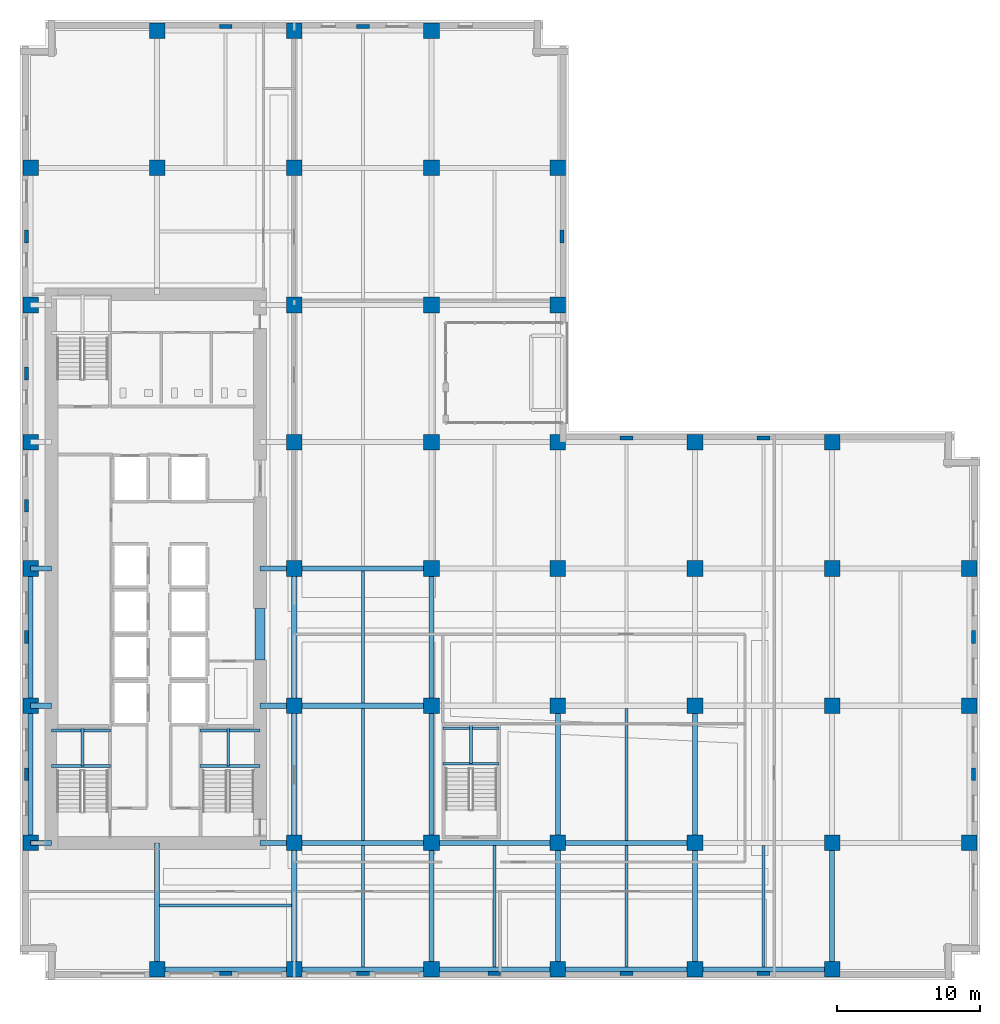
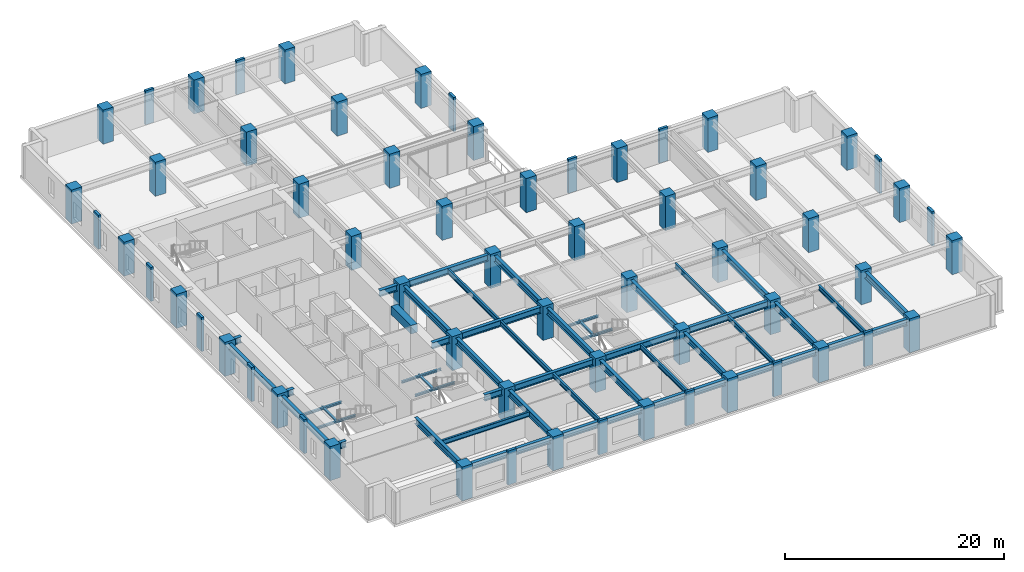
# One storey, part 1 of 16: 62 columns, 48 beams.
"""IFC4 building model written with IfcOpenShell, lengths in metres."""

from ifc_helpers import new_model, si_unit, direction, frame, origin, origin_2d, place, context, subcontext, project, spatial, rectangle, i_section, extrude, material, material_profile, profile_set, type_object, element, save


model = new_model("IFC4")

# Units and contexts
model_context = context("Model", 3, precision=1e-05, world=origin(), true_north=direction((0.0, 1.0)))
body_context = subcontext(model_context, "Body", "Model", "MODEL_VIEW")
ifc_project = project(units=[si_unit("LENGTHUNIT", "METRE"), si_unit("AREAUNIT", "SQUARE_METRE"), si_unit("VOLUMEUNIT", "CUBIC_METRE"), si_unit("PLANEANGLEUNIT", "RADIAN"), si_unit("MASSUNIT", "GRAM", prefix="KILO")], contexts=[model_context])

# Site, building, storey
site_placement = place(None, origin())
site = spatial("IfcSite", under=ifc_project, at=site_placement, CompositionType="ELEMENT")
building_placement = place(site_placement, origin())
building = spatial("IfcBuilding", under=site, at=building_placement, Name="Norrvale University Quadrangle", CompositionType="ELEMENT")
storey_placement = place(building_placement, frame((0.0, 0.0, 58.39990234375)))
storey = spatial("IfcBuildingStorey", under=building, at=storey_placement, Name="L14", CompositionType="ELEMENT", Elevation=58.39990234375)

# Columns
ifc_material_1 = material(Name="Buff Brick Concrete C60/75", Category="concrete")
ifc_material_profile_1 = material_profile(ifc_material_1, rectangle(XDim=0.89990234375, YDim=0.280029296875, at=origin_2d()), Name="Buff Brick Concrete C60/75")
ifc_profile_set_1 = profile_set([ifc_material_profile_1], Name="Buff Brick Concrete C60/75")
column_type_1 = type_object("IfcColumnType", Name="Column Buff Pier 900x280", PredefinedType="PILASTER", material=ifc_profile_set_1)
for number, where, z_axis, x_axis, name in (
    (1, (0.449951171875, 14.39990234375, 0.0), (0.0, 0.0, 1.0), (0.0, 1.0, 0.0), "Exterior Brick Facade Pilaster L14-01"),
    (2, (0.449951171875, 24.0, 0.0), (0.0, 0.0, 1.0), (0.0, 1.0, 0.0), "Exterior Brick Facade Pilaster L14-02"),
    (3, (0.449951171875, 33.199951171875, 0.0), (0.0, 0.0, 1.0), (0.0, 1.0, 0.0), "Exterior Brick Facade Pilaster L14-03"),
    (4, (0.449951171875, 42.449951171875, 0.0), (0.0, 0.0, 1.0), (0.0, 1.0, 0.0), "Exterior Brick Facade Pilaster L14-04"),
    (5, (0.449951171875, 52.050048828125, 0.0), (0.0, 0.0, 1.0), (0.0, 1.0, 0.0), "Exterior Brick Facade Pilaster L14-05"),
    (6, (14.39990234375, 0.449951171875, 0.0), (0.0, 0.0, 1.0), (1.0, 0.0, 0.0), "Exterior Brick Facade Pilaster L14-06"),
    (7, (24.0, 0.449951171875, 0.0), (0.0, 0.0, 1.0), (1.0, 0.0, 0.0), "Exterior Brick Facade Pilaster L14-07"),
    (8, (33.199951171875, 0.449951171875, 0.0), (0.0, 0.0, 1.0), (1.0, 0.0, 0.0), "Exterior Brick Facade Pilaster L14-08"),
    (9, (42.449951171875, 0.449951171875, 0.0), (0.0, 0.0, 1.0), (1.0, 0.0, 0.0), "Exterior Brick Facade Pilaster L14-09"),
    (10, (52.050048828125, 0.449951171875, 0.0), (0.0, 0.0, 1.0), (1.0, 0.0, 0.0), "Exterior Brick Facade Pilaster L14-10"),
    (11, (66.75, 14.39990234375, 0.0), (0.0, 0.0, 1.0), (0.0, 1.0, 0.0), "Exterior Brick Facade Pilaster L14-11"),
    (12, (66.75, 24.0, 0.0), (0.0, 0.0, 1.0), (0.0, 1.0, 0.0), "Exterior Brick Facade Pilaster L14-12"),
    (13, (14.39990234375, 66.75, 0.0), (0.0, 0.0, 1.0), (1.0, 0.0, 0.0), "Exterior Brick Facade Pilaster L14-13"),
    (14, (24.0, 66.75, 0.0), (0.0, 0.0, 1.0), (1.0, 0.0, 0.0), "Exterior Brick Facade Pilaster L14-14"),
    (15, (37.949951171875, 52.050048828125, 0.0), (0.0, 0.0, 1.0), (0.0, 1.0, 0.0), "Exterior Brick Facade Pilaster L14-15"),
    (16, (42.449951171875, 37.949951171875, 0.0), (0.0, 0.0, 1.0), (1.0, 0.0, 0.0), "Exterior Brick Facade Pilaster L14-16"),
    (17, (52.050048828125, 37.949951171875, 0.0), (0.0, 0.0, 1.0), (1.0, 0.0, 0.0), "Exterior Brick Facade Pilaster L14-17"),
):
    element("IfcColumn", number, at=place(storey_placement, frame(where, z_axis=z_axis, x_axis=x_axis)), inside=storey, type_object=column_type_1, Name=name, PredefinedType="PILASTER", context=body_context, shape_type="SweptSolid", body=[
        extrude(rectangle(XDim=0.89990234375, YDim=0.280029296875, at=origin_2d()), origin(), (0.0, 0.0, 1.0), 3.800048828125),
    ])
ifc_material_2 = material(Name="Concrete C80/95", Category="concrete")
ifc_material_profile_2 = material_profile(ifc_material_2, rectangle(XDim=1.10009765625, YDim=1.10009765625, at=origin_2d()), Name="Concrete C80/95")
ifc_profile_set_2 = profile_set([ifc_material_profile_2], Name="Concrete C80/95")
column_type_2 = type_object("IfcColumnType", Name="Column Tower Z1 1100x1100", PredefinedType="COLUMN", material=ifc_profile_set_2)
for number, where, z_axis, x_axis, name in (
    (18, (0.75, 9.60009765625, 0.0), (0.0, 0.0, 1.0), (1.0, 0.0, 0.0), "Tower Column L14-T01"),
    (19, (0.75, 19.199951171875, 0.0), (0.0, 0.0, 1.0), (1.0, 0.0, 0.0), "Tower Column L14-T02"),
    (20, (0.75, 28.800048828125, 0.0), (0.0, 0.0, 1.0), (1.0, 0.0, 0.0), "Tower Column L14-T03"),
    (21, (0.75, 37.64990234375, 0.0), (0.0, 0.0, 1.0), (1.0, 0.0, 0.0), "Tower Column L14-T04"),
    (22, (0.75, 47.25, 0.0), (0.0, 0.0, 1.0), (1.0, 0.0, 0.0), "Tower Column L14-T05"),
    (23, (0.75, 56.85009765625, 0.0), (0.0, 0.0, 1.0), (1.0, 0.0, 0.0), "Tower Column L14-T06"),
    (24, (9.60009765625, 0.75, 0.0), (0.0, 0.0, 1.0), (1.0, 0.0, 0.0), "Tower Column L14-T07"),
    (25, (9.60009765625, 56.85009765625, 0.0), (0.0, 0.0, 1.0), (1.0, 0.0, 0.0), "Tower Column L14-T08"),
    (26, (9.60009765625, 66.449951171875, 0.0), (0.0, 0.0, 1.0), (1.0, 0.0, 0.0), "Tower Column L14-T09"),
    (27, (19.199951171875, 0.75, 0.0), (0.0, 0.0, 1.0), (1.0, 0.0, 0.0), "Tower Column L14-T10"),
    (28, (19.199951171875, 9.60009765625, 0.0), (0.0, 0.0, 1.0), (1.0, 0.0, 0.0), "Tower Column L14-T11"),
    (29, (19.199951171875, 19.199951171875, 0.0), (0.0, 0.0, 1.0), (1.0, 0.0, 0.0), "Tower Column L14-T12"),
    (30, (19.199951171875, 28.800048828125, 0.0), (0.0, 0.0, 1.0), (1.0, 0.0, 0.0), "Tower Column L14-T13"),
    (31, (19.199951171875, 37.64990234375, 0.0), (0.0, 0.0, 1.0), (1.0, 0.0, 0.0), "Tower Column L14-T14"),
    (32, (19.199951171875, 47.25, 0.0), (0.0, 0.0, 1.0), (1.0, 0.0, 0.0), "Tower Column L14-T15"),
    (33, (19.199951171875, 56.85009765625, 0.0), (0.0, 0.0, 1.0), (1.0, 0.0, 0.0), "Tower Column L14-T16"),
    (34, (19.199951171875, 66.449951171875, 0.0), (0.0, 0.0, 1.0), (1.0, 0.0, 0.0), "Tower Column L14-T17"),
    (35, (28.800048828125, 0.75, 0.0), (0.0, 0.0, 1.0), (1.0, 0.0, 0.0), "Tower Column L14-T18"),
    (36, (28.800048828125, 9.60009765625, 0.0), (0.0, 0.0, 1.0), (1.0, 0.0, 0.0), "Tower Column L14-T19"),
    (37, (28.800048828125, 19.199951171875, 0.0), (0.0, 0.0, 1.0), (1.0, 0.0, 0.0), "Tower Column L14-T20"),
    (38, (28.800048828125, 28.800048828125, 0.0), (0.0, 0.0, 1.0), (1.0, 0.0, 0.0), "Tower Column L14-T21"),
    (39, (28.800048828125, 37.64990234375, 0.0), (0.0, 0.0, 1.0), (1.0, 0.0, 0.0), "Tower Column L14-T22"),
    (40, (28.800048828125, 47.25, 0.0), (0.0, 0.0, 1.0), (1.0, 0.0, 0.0), "Tower Column L14-T23"),
    (41, (28.800048828125, 56.85009765625, 0.0), (0.0, 0.0, 1.0), (1.0, 0.0, 0.0), "Tower Column L14-T24"),
    (42, (28.800048828125, 66.449951171875, 0.0), (0.0, 0.0, 1.0), (1.0, 0.0, 0.0), "Tower Column L14-T25"),
    (43, (37.64990234375, 0.75, 0.0), (0.0, 0.0, 1.0), (1.0, 0.0, 0.0), "Tower Column L14-T26"),
    (44, (37.64990234375, 9.60009765625, 0.0), (0.0, 0.0, 1.0), (1.0, 0.0, 0.0), "Tower Column L14-T27"),
    (45, (37.64990234375, 19.199951171875, 0.0), (0.0, 0.0, 1.0), (1.0, 0.0, 0.0), "Tower Column L14-T28"),
    (46, (37.64990234375, 28.800048828125, 0.0), (0.0, 0.0, 1.0), (1.0, 0.0, 0.0), "Tower Column L14-T29"),
    (47, (37.64990234375, 37.64990234375, 0.0), (0.0, 0.0, 1.0), (1.0, 0.0, 0.0), "Tower Column L14-T30"),
    (48, (37.64990234375, 47.25, 0.0), (0.0, 0.0, 1.0), (1.0, 0.0, 0.0), "Tower Column L14-T31"),
    (49, (37.64990234375, 56.85009765625, 0.0), (0.0, 0.0, 1.0), (1.0, 0.0, 0.0), "Tower Column L14-T32"),
    (50, (47.25, 0.75, 0.0), (0.0, 0.0, 1.0), (1.0, 0.0, 0.0), "Tower Column L14-T33"),
    (51, (47.25, 9.60009765625, 0.0), (0.0, 0.0, 1.0), (1.0, 0.0, 0.0), "Tower Column L14-T34"),
    (52, (47.25, 19.199951171875, 0.0), (0.0, 0.0, 1.0), (1.0, 0.0, 0.0), "Tower Column L14-T35"),
    (53, (47.25, 28.800048828125, 0.0), (0.0, 0.0, 1.0), (1.0, 0.0, 0.0), "Tower Column L14-T36"),
    (54, (47.25, 37.64990234375, 0.0), (0.0, 0.0, 1.0), (1.0, 0.0, 0.0), "Tower Column L14-T37"),
    (55, (56.85009765625, 0.75, 0.0), (0.0, 0.0, 1.0), (1.0, 0.0, 0.0), "Tower Column L14-T38"),
    (56, (56.85009765625, 9.60009765625, 0.0), (0.0, 0.0, 1.0), (1.0, 0.0, 0.0), "Tower Column L14-T39"),
    (57, (56.85009765625, 19.199951171875, 0.0), (0.0, 0.0, 1.0), (1.0, 0.0, 0.0), "Tower Column L14-T40"),
    (58, (56.85009765625, 28.800048828125, 0.0), (0.0, 0.0, 1.0), (1.0, 0.0, 0.0), "Tower Column L14-T41"),
    (59, (56.85009765625, 37.64990234375, 0.0), (0.0, 0.0, 1.0), (1.0, 0.0, 0.0), "Tower Column L14-T42"),
    (60, (66.449951171875, 9.60009765625, 0.0), (0.0, 0.0, 1.0), (1.0, 0.0, 0.0), "Tower Column L14-T43"),
    (61, (66.449951171875, 19.199951171875, 0.0), (0.0, 0.0, 1.0), (1.0, 0.0, 0.0), "Tower Column L14-T44"),
    (62, (66.449951171875, 28.800048828125, 0.0), (0.0, 0.0, 1.0), (1.0, 0.0, 0.0), "Tower Column L14-T45"),
):
    element("IfcColumn", number, at=place(storey_placement, frame(where, z_axis=z_axis, x_axis=x_axis)), inside=storey, type_object=column_type_2, Name=name, PredefinedType="COLUMN", context=body_context, shape_type="SweptSolid", body=[
        extrude(rectangle(XDim=1.10009765625, YDim=1.10009765625, at=origin_2d()), origin(), (0.0, 0.0, 1.0), 3.800048828125),
    ])

# Beams
ifc_material_3 = material(Name="Steel 350W", Category="steel")
ifc_material_profile_3 = material_profile(ifc_material_3, i_section(OverallWidth=0.35498046875, OverallDepth=0.695068359375, WebThickness=0.015380859375, FlangeThickness=0.02490234375, FilletRadius=0.01806640625, at=origin_2d()), Name="Steel 350W")
ifc_profile_set_3 = profile_set([ifc_material_profile_3], Name="Steel 350W")
beam_type_1 = type_object("IfcBeamType", Name="Beam Belt W690x217", PredefinedType="BEAM", material=ifc_profile_set_3)
beam_1_placement = place(storey_placement, frame((9.60009765625, 0.75, 3.192626953125), z_axis=(1.0, 0.0, 0.0), x_axis=(0.0, 1.0, 0.0)))
element("IfcBeam", 63, at=beam_1_placement, inside=storey, type_object=beam_type_1, Name="Beam Belt W690x217 BM-L14-GX001", PredefinedType="BEAM", context=body_context, shape_type="SweptSolid", body=[
    extrude(i_section(OverallWidth=0.35498046875, OverallDepth=0.695068359375, WebThickness=0.015380859375, FlangeThickness=0.02490234375, FilletRadius=0.01806640625, at=origin_2d()), origin(), (0.0, 0.0, 1.0), 9.599853515625),
])
beam_2_placement = place(storey_placement, frame((19.199951171875, 0.75, 3.192626953125), z_axis=(1.0, 0.0, 0.0), x_axis=(0.0, 1.0, 0.0)))
element("IfcBeam", 64, at=beam_2_placement, inside=storey, type_object=beam_type_1, Name="Beam Belt W690x217 BM-L14-GX002", PredefinedType="BEAM", context=body_context, shape_type="SweptSolid", body=[
    extrude(i_section(OverallWidth=0.35498046875, OverallDepth=0.695068359375, WebThickness=0.015380859375, FlangeThickness=0.02490234375, FilletRadius=0.01806640625, at=origin_2d()), origin(), (0.0, 0.0, 1.0), 9.60009765625),
])
beam_3_placement = place(storey_placement, frame((28.800048828125, 0.75, 3.192626953125), z_axis=(1.0, 0.0, 0.0), x_axis=(0.0, 1.0, 0.0)))
element("IfcBeam", 65, at=beam_3_placement, inside=storey, type_object=beam_type_1, Name="Beam Belt W690x217 BM-L14-GX003", PredefinedType="BEAM", context=body_context, shape_type="SweptSolid", body=[
    extrude(i_section(OverallWidth=0.35498046875, OverallDepth=0.695068359375, WebThickness=0.015380859375, FlangeThickness=0.02490234375, FilletRadius=0.01806640625, at=origin_2d()), origin(), (0.0, 0.0, 1.0), 8.849853515625),
])
for number, where, z_axis, x_axis, name in (
    (66, (37.64990234375, 0.75, 3.192626953125), (1.0, 0.0, 0.0), (0.0, 1.0, 0.0), "Beam Belt W690x217 BM-L14-GX004"),
    (67, (47.25, 0.75, 3.192626953125), (1.0, 0.0, 0.0), (0.0, 1.0, 0.0), "Beam Belt W690x217 BM-L14-GX005"),
    (68, (19.199951171875, 9.60009765625, 3.192626953125), (1.0, 0.0, 0.0), (0.0, 1.0, 0.0), "Beam Belt W690x217 BM-L14-GX006"),
):
    element("IfcBeam", number, at=place(storey_placement, frame(where, z_axis=z_axis, x_axis=x_axis)), inside=storey, type_object=beam_type_1, Name=name, PredefinedType="BEAM", context=body_context, shape_type="SweptSolid", body=[
        extrude(i_section(OverallWidth=0.35498046875, OverallDepth=0.695068359375, WebThickness=0.015380859375, FlangeThickness=0.02490234375, FilletRadius=0.01806640625, at=origin_2d()), origin(), (0.0, 0.0, 1.0), 9.60009765625),
    ])
beam_4_placement = place(storey_placement, frame((28.800048828125, 9.60009765625, 3.192626953125), z_axis=(1.0, 0.0, 0.0), x_axis=(0.0, 1.0, 0.0)))
element("IfcBeam", 69, at=beam_4_placement, inside=storey, type_object=beam_type_1, Name="Beam Belt W690x217 BM-L14-GX007", PredefinedType="BEAM", context=body_context, shape_type="SweptSolid", body=[
    extrude(i_section(OverallWidth=0.35498046875, OverallDepth=0.695068359375, WebThickness=0.015380859375, FlangeThickness=0.02490234375, FilletRadius=0.01806640625, at=origin_2d()), origin(), (0.0, 0.0, 1.0), 8.849853515625),
])
for number, where, z_axis, x_axis, name in (
    (70, (37.64990234375, 9.60009765625, 3.192626953125), (1.0, 0.0, 0.0), (0.0, 1.0, 0.0), "Beam Belt W690x217 BM-L14-GX008"),
    (71, (19.199951171875, 19.199951171875, 3.192626953125), (1.0, 0.0, 0.0), (0.0, 1.0, 0.0), "Beam Belt W690x217 BM-L14-GX011"),
    (72, (19.199951171875, 28.800048828125, 3.192626953125), (1.0, 0.0, 0.0), (0.0, 1.0, 0.0), "Beam Belt W690x217 BM-L14-GX016"),
):
    element("IfcBeam", number, at=place(storey_placement, frame(where, z_axis=z_axis, x_axis=x_axis)), inside=storey, type_object=beam_type_1, Name=name, PredefinedType="BEAM", context=body_context, shape_type="SweptSolid", body=[
        extrude(i_section(OverallWidth=0.35498046875, OverallDepth=0.695068359375, WebThickness=0.015380859375, FlangeThickness=0.02490234375, FilletRadius=0.01806640625, at=origin_2d()), origin(), (0.0, 0.0, 1.0), 9.60009765625),
    ])
beam_5_placement = place(storey_placement, frame((0.75, 9.60009765625, 3.192626953125), z_axis=(0.0, 1.0, 0.0), x_axis=(-1.0, 0.0, 0.0)))
element("IfcBeam", 73, at=beam_5_placement, inside=storey, type_object=beam_type_1, Name="Beam Belt W690x217 BM-L14-GY033", PredefinedType="BEAM", context=body_context, shape_type="SweptSolid", body=[
    extrude(i_section(OverallWidth=0.35498046875, OverallDepth=0.695068359375, WebThickness=0.015380859375, FlangeThickness=0.02490234375, FilletRadius=0.01806640625, at=origin_2d()), origin(), (0.0, 0.0, 1.0), 9.599853515625),
])
beam_6_placement = place(storey_placement, frame((0.75, 19.199951171875, 3.192626953125), z_axis=(0.0, 1.0, 0.0), x_axis=(-1.0, 0.0, 0.0)))
element("IfcBeam", 74, at=beam_6_placement, inside=storey, type_object=beam_type_1, Name="Beam Belt W690x217 BM-L14-GY034", PredefinedType="BEAM", context=body_context, shape_type="SweptSolid", body=[
    extrude(i_section(OverallWidth=0.35498046875, OverallDepth=0.695068359375, WebThickness=0.015380859375, FlangeThickness=0.02490234375, FilletRadius=0.01806640625, at=origin_2d()), origin(), (0.0, 0.0, 1.0), 9.60009765625),
])
beam_7_placement = place(storey_placement, frame((19.199951171875, 0.75, 3.192626953125), z_axis=(0.0, 1.0, 0.0), x_axis=(-1.0, 0.0, 0.0)))
element("IfcBeam", 75, at=beam_7_placement, inside=storey, type_object=beam_type_1, Name="Beam Belt W690x217 BM-L14-GY039", PredefinedType="BEAM", context=body_context, shape_type="SweptSolid", body=[
    extrude(i_section(OverallWidth=0.35498046875, OverallDepth=0.695068359375, WebThickness=0.015380859375, FlangeThickness=0.02490234375, FilletRadius=0.01806640625, at=origin_2d()), origin(), (0.0, 0.0, 1.0), 8.85009765625),
])
beam_8_placement = place(storey_placement, frame((19.199951171875, 9.60009765625, 3.192626953125), z_axis=(0.0, 1.0, 0.0), x_axis=(-1.0, 0.0, 0.0)))
element("IfcBeam", 76, at=beam_8_placement, inside=storey, type_object=beam_type_1, Name="Beam Belt W690x217 BM-L14-GY040", PredefinedType="BEAM", context=body_context, shape_type="SweptSolid", body=[
    extrude(i_section(OverallWidth=0.35498046875, OverallDepth=0.695068359375, WebThickness=0.015380859375, FlangeThickness=0.02490234375, FilletRadius=0.01806640625, at=origin_2d()), origin(), (0.0, 0.0, 1.0), 9.599853515625),
])
beam_9_placement = place(storey_placement, frame((19.199951171875, 19.199951171875, 3.192626953125), z_axis=(0.0, 1.0, 0.0), x_axis=(-1.0, 0.0, 0.0)))
element("IfcBeam", 77, at=beam_9_placement, inside=storey, type_object=beam_type_1, Name="Beam Belt W690x217 BM-L14-GY041", PredefinedType="BEAM", context=body_context, shape_type="SweptSolid", body=[
    extrude(i_section(OverallWidth=0.35498046875, OverallDepth=0.695068359375, WebThickness=0.015380859375, FlangeThickness=0.02490234375, FilletRadius=0.01806640625, at=origin_2d()), origin(), (0.0, 0.0, 1.0), 9.60009765625),
])
beam_10_placement = place(storey_placement, frame((28.800048828125, 0.75, 3.192626953125), z_axis=(0.0, 1.0, 0.0), x_axis=(-1.0, 0.0, 0.0)))
element("IfcBeam", 78, at=beam_10_placement, inside=storey, type_object=beam_type_1, Name="Beam Belt W690x217 BM-L14-GY046", PredefinedType="BEAM", context=body_context, shape_type="SweptSolid", body=[
    extrude(i_section(OverallWidth=0.35498046875, OverallDepth=0.695068359375, WebThickness=0.015380859375, FlangeThickness=0.02490234375, FilletRadius=0.01806640625, at=origin_2d()), origin(), (0.0, 0.0, 1.0), 8.85009765625),
])
beam_11_placement = place(storey_placement, frame((28.800048828125, 9.60009765625, 3.192626953125), z_axis=(0.0, 1.0, 0.0), x_axis=(-1.0, 0.0, 0.0)))
element("IfcBeam", 79, at=beam_11_placement, inside=storey, type_object=beam_type_1, Name="Beam Belt W690x217 BM-L14-GY047", PredefinedType="BEAM", context=body_context, shape_type="SweptSolid", body=[
    extrude(i_section(OverallWidth=0.35498046875, OverallDepth=0.695068359375, WebThickness=0.015380859375, FlangeThickness=0.02490234375, FilletRadius=0.01806640625, at=origin_2d()), origin(), (0.0, 0.0, 1.0), 9.599853515625),
])
beam_12_placement = place(storey_placement, frame((28.800048828125, 19.199951171875, 3.192626953125), z_axis=(0.0, 1.0, 0.0), x_axis=(-1.0, 0.0, 0.0)))
element("IfcBeam", 80, at=beam_12_placement, inside=storey, type_object=beam_type_1, Name="Beam Belt W690x217 BM-L14-GY048", PredefinedType="BEAM", context=body_context, shape_type="SweptSolid", body=[
    extrude(i_section(OverallWidth=0.35498046875, OverallDepth=0.695068359375, WebThickness=0.015380859375, FlangeThickness=0.02490234375, FilletRadius=0.01806640625, at=origin_2d()), origin(), (0.0, 0.0, 1.0), 9.60009765625),
])
beam_13_placement = place(storey_placement, frame((37.64990234375, 0.75, 3.192626953125), z_axis=(0.0, 1.0, 0.0), x_axis=(-1.0, 0.0, 0.0)))
element("IfcBeam", 81, at=beam_13_placement, inside=storey, type_object=beam_type_1, Name="Beam Belt W690x217 BM-L14-GY053", PredefinedType="BEAM", context=body_context, shape_type="SweptSolid", body=[
    extrude(i_section(OverallWidth=0.35498046875, OverallDepth=0.695068359375, WebThickness=0.015380859375, FlangeThickness=0.02490234375, FilletRadius=0.01806640625, at=origin_2d()), origin(), (0.0, 0.0, 1.0), 8.85009765625),
])
beam_14_placement = place(storey_placement, frame((37.64990234375, 9.60009765625, 3.192626953125), z_axis=(0.0, 1.0, 0.0), x_axis=(-1.0, 0.0, 0.0)))
element("IfcBeam", 82, at=beam_14_placement, inside=storey, type_object=beam_type_1, Name="Beam Belt W690x217 BM-L14-GY054", PredefinedType="BEAM", context=body_context, shape_type="SweptSolid", body=[
    extrude(i_section(OverallWidth=0.35498046875, OverallDepth=0.695068359375, WebThickness=0.015380859375, FlangeThickness=0.02490234375, FilletRadius=0.01806640625, at=origin_2d()), origin(), (0.0, 0.0, 1.0), 9.599853515625),
])
beam_15_placement = place(storey_placement, frame((47.25, 0.75, 3.192626953125), z_axis=(0.0, 1.0, 0.0), x_axis=(-1.0, 0.0, 0.0)))
element("IfcBeam", 83, at=beam_15_placement, inside=storey, type_object=beam_type_1, Name="Beam Belt W690x217 BM-L14-GY059", PredefinedType="BEAM", context=body_context, shape_type="SweptSolid", body=[
    extrude(i_section(OverallWidth=0.35498046875, OverallDepth=0.695068359375, WebThickness=0.015380859375, FlangeThickness=0.02490234375, FilletRadius=0.01806640625, at=origin_2d()), origin(), (0.0, 0.0, 1.0), 8.85009765625),
])
beam_16_placement = place(storey_placement, frame((47.25, 9.60009765625, 3.192626953125), z_axis=(0.0, 1.0, 0.0), x_axis=(-1.0, 0.0, 0.0)))
element("IfcBeam", 84, at=beam_16_placement, inside=storey, type_object=beam_type_1, Name="Beam Belt W690x217 BM-L14-GY060", PredefinedType="BEAM", context=body_context, shape_type="SweptSolid", body=[
    extrude(i_section(OverallWidth=0.35498046875, OverallDepth=0.695068359375, WebThickness=0.015380859375, FlangeThickness=0.02490234375, FilletRadius=0.01806640625, at=origin_2d()), origin(), (0.0, 0.0, 1.0), 9.599853515625),
])
beam_17_placement = place(storey_placement, frame((56.85009765625, 0.75, 3.192626953125), z_axis=(0.0, 1.0, 0.0), x_axis=(-1.0, 0.0, 0.0)))
element("IfcBeam", 85, at=beam_17_placement, inside=storey, type_object=beam_type_1, Name="Beam Belt W690x217 BM-L14-GY063", PredefinedType="BEAM", context=body_context, shape_type="SweptSolid", body=[
    extrude(i_section(OverallWidth=0.35498046875, OverallDepth=0.695068359375, WebThickness=0.015380859375, FlangeThickness=0.02490234375, FilletRadius=0.01806640625, at=origin_2d()), origin(), (0.0, 0.0, 1.0), 8.85009765625),
])
beam_18_placement = place(storey_placement, frame((0.75, 9.60009765625, 3.192626953125), z_axis=(1.0, 0.0, 0.0), x_axis=(0.0, 1.0, 0.0)))
element("IfcBeam", 86, at=beam_18_placement, inside=storey, type_object=beam_type_1, Name="Beam Belt W690x217 BM-L14-GCW069", PredefinedType="BEAM", context=body_context, shape_type="SweptSolid", body=[
    extrude(i_section(OverallWidth=0.35498046875, OverallDepth=0.695068359375, WebThickness=0.015380859375, FlangeThickness=0.02490234375, FilletRadius=0.01806640625, at=origin_2d()), origin(), (0.0, 0.0, 1.0), 1.449951171875),
])
beam_19_placement = place(storey_placement, frame((16.800048828125, 9.60009765625, 3.192626953125), z_axis=(1.0, 0.0, 0.0), x_axis=(0.0, 1.0, 0.0)))
element("IfcBeam", 87, at=beam_19_placement, inside=storey, type_object=beam_type_1, Name="Beam Belt W690x217 BM-L14-GCE070", PredefinedType="BEAM", context=body_context, shape_type="SweptSolid", body=[
    extrude(i_section(OverallWidth=0.35498046875, OverallDepth=0.695068359375, WebThickness=0.015380859375, FlangeThickness=0.02490234375, FilletRadius=0.01806640625, at=origin_2d()), origin(), (0.0, 0.0, 1.0), 2.39990234375),
])
beam_20_placement = place(storey_placement, frame((0.75, 19.199951171875, 3.192626953125), z_axis=(1.0, 0.0, 0.0), x_axis=(0.0, 1.0, 0.0)))
element("IfcBeam", 88, at=beam_20_placement, inside=storey, type_object=beam_type_1, Name="Beam Belt W690x217 BM-L14-GCW071", PredefinedType="BEAM", context=body_context, shape_type="SweptSolid", body=[
    extrude(i_section(OverallWidth=0.35498046875, OverallDepth=0.695068359375, WebThickness=0.015380859375, FlangeThickness=0.02490234375, FilletRadius=0.01806640625, at=origin_2d()), origin(), (0.0, 0.0, 1.0), 1.449951171875),
])
beam_21_placement = place(storey_placement, frame((16.800048828125, 19.199951171875, 3.192626953125), z_axis=(1.0, 0.0, 0.0), x_axis=(0.0, 1.0, 0.0)))
element("IfcBeam", 89, at=beam_21_placement, inside=storey, type_object=beam_type_1, Name="Beam Belt W690x217 BM-L14-GCE072", PredefinedType="BEAM", context=body_context, shape_type="SweptSolid", body=[
    extrude(i_section(OverallWidth=0.35498046875, OverallDepth=0.695068359375, WebThickness=0.015380859375, FlangeThickness=0.02490234375, FilletRadius=0.01806640625, at=origin_2d()), origin(), (0.0, 0.0, 1.0), 2.39990234375),
])
beam_22_placement = place(storey_placement, frame((0.75, 28.800048828125, 3.192626953125), z_axis=(1.0, 0.0, 0.0), x_axis=(0.0, 1.0, 0.0)))
element("IfcBeam", 90, at=beam_22_placement, inside=storey, type_object=beam_type_1, Name="Beam Belt W690x217 BM-L14-GCW073", PredefinedType="BEAM", context=body_context, shape_type="SweptSolid", body=[
    extrude(i_section(OverallWidth=0.35498046875, OverallDepth=0.695068359375, WebThickness=0.015380859375, FlangeThickness=0.02490234375, FilletRadius=0.01806640625, at=origin_2d()), origin(), (0.0, 0.0, 1.0), 1.449951171875),
])
beam_23_placement = place(storey_placement, frame((16.800048828125, 28.800048828125, 3.192626953125), z_axis=(1.0, 0.0, 0.0), x_axis=(0.0, 1.0, 0.0)))
element("IfcBeam", 91, at=beam_23_placement, inside=storey, type_object=beam_type_1, Name="Beam Belt W690x217 BM-L14-GCE074", PredefinedType="BEAM", context=body_context, shape_type="SweptSolid", body=[
    extrude(i_section(OverallWidth=0.35498046875, OverallDepth=0.695068359375, WebThickness=0.015380859375, FlangeThickness=0.02490234375, FilletRadius=0.01806640625, at=origin_2d()), origin(), (0.0, 0.0, 1.0), 2.39990234375),
])
beam_24_placement = place(storey_placement, frame((9.60009765625, 0.75, 3.192626953125), z_axis=(0.0, 1.0, 0.0), x_axis=(-1.0, 0.0, 0.0)))
element("IfcBeam", 92, at=beam_24_placement, inside=storey, type_object=beam_type_1, Name="Beam Belt W690x217 BM-L14-GCS101", PredefinedType="BEAM", context=body_context, shape_type="SweptSolid", body=[
    extrude(i_section(OverallWidth=0.35498046875, OverallDepth=0.695068359375, WebThickness=0.015380859375, FlangeThickness=0.02490234375, FilletRadius=0.01806640625, at=origin_2d()), origin(), (0.0, 0.0, 1.0), 8.85009765625),
])
ifc_material_profile_4 = material_profile(ifc_material_2, rectangle(XDim=0.699951171875, YDim=0.949951171875, at=origin_2d()), Name="Concrete C80/95")
ifc_profile_set_4 = profile_set([ifc_material_profile_4], Name="Concrete C80/95")
beam_type_2 = type_object("IfcBeamType", Name="Beam Core Link 700x950", PredefinedType="LINTEL", material=ifc_profile_set_4)
beam_25_placement = place(storey_placement, frame((16.800048828125, 22.39990234375, 3.065185546875), z_axis=(0.0, 1.0, 0.0), x_axis=(-1.0, 0.0, 0.0)))
element("IfcBeam", 93, at=beam_25_placement, inside=storey, type_object=beam_type_2, Name="Core Coupling Lintel Beam L14-1", PredefinedType="LINTEL", context=body_context, shape_type="SweptSolid", body=[
    extrude(rectangle(XDim=0.699951171875, YDim=0.949951171875, at=origin_2d()), origin(), (0.0, 0.0, 1.0), 3.60009765625),
])
ifc_material_profile_5 = material_profile(ifc_material_3, i_section(OverallWidth=0.2119140625, OverallDepth=0.5439453125, WebThickness=0.01318359375, FlangeThickness=0.021240234375, FilletRadius=0.013916015625, at=origin_2d()), Name="Steel 350W")
ifc_profile_set_5 = profile_set([ifc_material_profile_5], Name="Steel 350W")
beam_type_3 = type_object("IfcBeamType", Name="Beam Floor W530x123", PredefinedType="BEAM", material=ifc_profile_set_5)
beam_26_placement = place(storey_placement, frame((24.0, 0.927490234375, 3.26806640625), z_axis=(0.0, 1.0, 0.0), x_axis=(-1.0, 0.0, 0.0)))
element("IfcBeam", 94, at=beam_26_placement, inside=storey, type_object=beam_type_3, Name="Beam Floor W530x123 BM-L14-J080", PredefinedType="BEAM", context=body_context, shape_type="SweptSolid", body=[
    extrude(i_section(OverallWidth=0.2119140625, OverallDepth=0.5439453125, WebThickness=0.01318359375, FlangeThickness=0.021240234375, FilletRadius=0.013916015625, at=origin_2d()), origin(), (0.0, 0.0, 1.0), 8.4951171875),
])
beam_27_placement = place(storey_placement, frame((24.0, 9.777587890625, 3.26806640625), z_axis=(0.0, 1.0, 0.0), x_axis=(-1.0, 0.0, 0.0)))
element("IfcBeam", 95, at=beam_27_placement, inside=storey, type_object=beam_type_3, Name="Beam Floor W530x123 BM-L14-J081", PredefinedType="BEAM", context=body_context, shape_type="SweptSolid", body=[
    extrude(i_section(OverallWidth=0.2119140625, OverallDepth=0.5439453125, WebThickness=0.01318359375, FlangeThickness=0.021240234375, FilletRadius=0.013916015625, at=origin_2d()), origin(), (0.0, 0.0, 1.0), 9.244873046875),
])
beam_28_placement = place(storey_placement, frame((24.0, 19.37744140625, 3.26806640625), z_axis=(0.0, 1.0, 0.0), x_axis=(-1.0, 0.0, 0.0)))
element("IfcBeam", 96, at=beam_28_placement, inside=storey, type_object=beam_type_3, Name="Beam Floor W530x123 BM-L14-J082", PredefinedType="BEAM", context=body_context, shape_type="SweptSolid", body=[
    extrude(i_section(OverallWidth=0.2119140625, OverallDepth=0.5439453125, WebThickness=0.01318359375, FlangeThickness=0.021240234375, FilletRadius=0.013916015625, at=origin_2d()), origin(), (0.0, 0.0, 1.0), 9.2451171875),
])
for number, where, z_axis, x_axis, name in (
    (97, (33.22509765625, 0.927490234375, 3.26806640625), (0.0, 1.0, 0.0), (-1.0, 0.0, 0.0), "Beam Floor W530x123 BM-L14-J087"),
    (98, (42.449951171875, 0.927490234375, 3.26806640625), (0.0, 1.0, 0.0), (-1.0, 0.0, 0.0), "Beam Floor W530x123 BM-L14-J091"),
):
    element("IfcBeam", number, at=place(storey_placement, frame(where, z_axis=z_axis, x_axis=x_axis)), inside=storey, type_object=beam_type_3, Name=name, PredefinedType="BEAM", context=body_context, shape_type="SweptSolid", body=[
        extrude(i_section(OverallWidth=0.2119140625, OverallDepth=0.5439453125, WebThickness=0.01318359375, FlangeThickness=0.021240234375, FilletRadius=0.013916015625, at=origin_2d()), origin(), (0.0, 0.0, 1.0), 8.4951171875),
    ])
beam_29_placement = place(storey_placement, frame((42.449951171875, 9.777587890625, 3.26806640625), z_axis=(0.0, 1.0, 0.0), x_axis=(-1.0, 0.0, 0.0)))
element("IfcBeam", 99, at=beam_29_placement, inside=storey, type_object=beam_type_3, Name="Beam Floor W530x123 BM-L14-J092", PredefinedType="BEAM", context=body_context, shape_type="SweptSolid", body=[
    extrude(i_section(OverallWidth=0.2119140625, OverallDepth=0.5439453125, WebThickness=0.01318359375, FlangeThickness=0.021240234375, FilletRadius=0.013916015625, at=origin_2d()), origin(), (0.0, 0.0, 1.0), 9.244873046875),
])
beam_30_placement = place(storey_placement, frame((52.050048828125, 0.927490234375, 3.26806640625), z_axis=(0.0, 1.0, 0.0), x_axis=(-1.0, 0.0, 0.0)))
element("IfcBeam", 100, at=beam_30_placement, inside=storey, type_object=beam_type_3, Name="Beam Floor W530x123 BM-L14-J095", PredefinedType="BEAM", context=body_context, shape_type="SweptSolid", body=[
    extrude(i_section(OverallWidth=0.2119140625, OverallDepth=0.5439453125, WebThickness=0.01318359375, FlangeThickness=0.021240234375, FilletRadius=0.013916015625, at=origin_2d()), origin(), (0.0, 0.0, 1.0), 8.4951171875),
])
beam_31_placement = place(storey_placement, frame((9.777587890625, 5.199951171875, 3.26806640625), z_axis=(1.0, 0.0, 0.0), x_axis=(0.0, 1.0, 0.0)))
element("IfcBeam", 101, at=beam_31_placement, inside=storey, type_object=beam_type_3, Name="Beam Floor W530x123 BM-L14-JCS102", PredefinedType="BEAM", context=body_context, shape_type="SweptSolid", body=[
    extrude(i_section(OverallWidth=0.2119140625, OverallDepth=0.5439453125, WebThickness=0.01318359375, FlangeThickness=0.021240234375, FilletRadius=0.013916015625, at=origin_2d()), origin(), (0.0, 0.0, 1.0), 9.244873046875),
])
ifc_material_profile_6 = material_profile(ifc_material_3, i_section(OverallWidth=0.201904296875, OverallDepth=0.2470703125, WebThickness=0.00732421875, FlangeThickness=0.010986328125, FilletRadius=0.011962890625, at=origin_2d()), Name="Steel 350W")
ifc_profile_set_6 = profile_set([ifc_material_profile_6], Name="Steel 350W")
beam_type_4 = type_object("IfcBeamType", Name="Beam Stair W250x49", PredefinedType="BEAM", material=ifc_profile_set_6)
for number, where, z_axis, x_axis, name in (
    (102, (2.199951171875, 14.989990234375, 1.57666015625), (1.0, 0.0, 0.0), (0.0, 1.0, 0.0), "Stair Mid-Landing Front Beam ST-01 L14"),
    (103, (2.199951171875, 17.469970703125, 1.57666015625), (1.0, 0.0, 0.0), (0.0, 1.0, 0.0), "Stair Mid-Landing Rear Beam ST-01 L14"),
):
    element("IfcBeam", number, at=place(storey_placement, frame(where, z_axis=z_axis, x_axis=x_axis)), inside=storey, type_object=beam_type_4, Name=name, PredefinedType="BEAM", context=body_context, shape_type="SweptSolid", body=[
        extrude(i_section(OverallWidth=0.201904296875, OverallDepth=0.2470703125, WebThickness=0.00732421875, FlangeThickness=0.010986328125, FilletRadius=0.011962890625, at=origin_2d()), origin(), (0.0, 0.0, 1.0), 4.14013671875),
    ])
for number, where, z_axis, x_axis, name in (
    (104, (12.610107421875, 14.989990234375, 1.57666015625), (1.0, 0.0, 0.0), (0.0, 1.0, 0.0), "Stair Mid-Landing Front Beam ST-03 L14"),
    (105, (12.610107421875, 17.469970703125, 1.57666015625), (1.0, 0.0, 0.0), (0.0, 1.0, 0.0), "Stair Mid-Landing Rear Beam ST-03 L14"),
):
    element("IfcBeam", number, at=place(storey_placement, frame(where, z_axis=z_axis, x_axis=x_axis)), inside=storey, type_object=beam_type_4, Name=name, PredefinedType="BEAM", context=body_context, shape_type="SweptSolid", body=[
        extrude(i_section(OverallWidth=0.201904296875, OverallDepth=0.2470703125, WebThickness=0.00732421875, FlangeThickness=0.010986328125, FilletRadius=0.011962890625, at=origin_2d()), origin(), (0.0, 0.0, 1.0), 4.18994140625),
    ])
for number, where, z_axis, x_axis, name in (
    (106, (29.610107421875, 15.139892578125, 1.57666015625), (1.0, 0.0, 0.0), (0.0, 1.0, 0.0), "Stair Mid-Landing Front Beam ST-04 L14"),
    (107, (29.610107421875, 17.6201171875, 1.57666015625), (1.0, 0.0, 0.0), (0.0, 1.0, 0.0), "Stair Mid-Landing Rear Beam ST-04 L14"),
):
    element("IfcBeam", number, at=place(storey_placement, frame(where, z_axis=z_axis, x_axis=x_axis)), inside=storey, type_object=beam_type_4, Name=name, PredefinedType="BEAM", context=body_context, shape_type="SweptSolid", body=[
        extrude(i_section(OverallWidth=0.201904296875, OverallDepth=0.2470703125, WebThickness=0.00732421875, FlangeThickness=0.010986328125, FilletRadius=0.011962890625, at=origin_2d()), origin(), (0.0, 0.0, 1.0), 3.929931640625),
    ])
ifc_material_profile_7 = material_profile(ifc_material_3, i_section(OverallWidth=0.202880859375, OverallDepth=0.202880859375, WebThickness=0.007080078125, FlangeThickness=0.010986328125, FilletRadius=0.010009765625, at=origin_2d()), Name="Steel 350W")
ifc_profile_set_7 = profile_set([ifc_material_profile_7], Name="Steel 350W")
beam_type_5 = type_object("IfcBeamType", Name="Beam Trim W200x46", PredefinedType="BEAM", material=ifc_profile_set_7)
for number, where, z_axis, x_axis, name in (
    (108, (4.375, 14.989990234375, 1.5986328125), (0.0, 1.0, 0.0), (-1.0, 0.0, 0.0), "Stair Mid-Landing Cross Beam ST-01 L14"),
    (109, (14.574951171875, 14.989990234375, 1.5986328125), (0.0, 1.0, 0.0), (-1.0, 0.0, 0.0), "Stair Mid-Landing Cross Beam ST-03 L14"),
    (110, (31.574951171875, 15.139892578125, 1.5986328125), (0.0, 1.0, 0.0), (-1.0, 0.0, 0.0), "Stair Mid-Landing Cross Beam ST-04 L14"),
):
    element("IfcBeam", number, at=place(storey_placement, frame(where, z_axis=z_axis, x_axis=x_axis)), inside=storey, type_object=beam_type_5, Name=name, PredefinedType="BEAM", context=body_context, shape_type="SweptSolid", body=[
        extrude(i_section(OverallWidth=0.202880859375, OverallDepth=0.202880859375, WebThickness=0.007080078125, FlangeThickness=0.010986328125, FilletRadius=0.010009765625, at=origin_2d()), origin(), (0.0, 0.0, 1.0), 2.800048828125),
    ])

save(model, "model.ifc")
